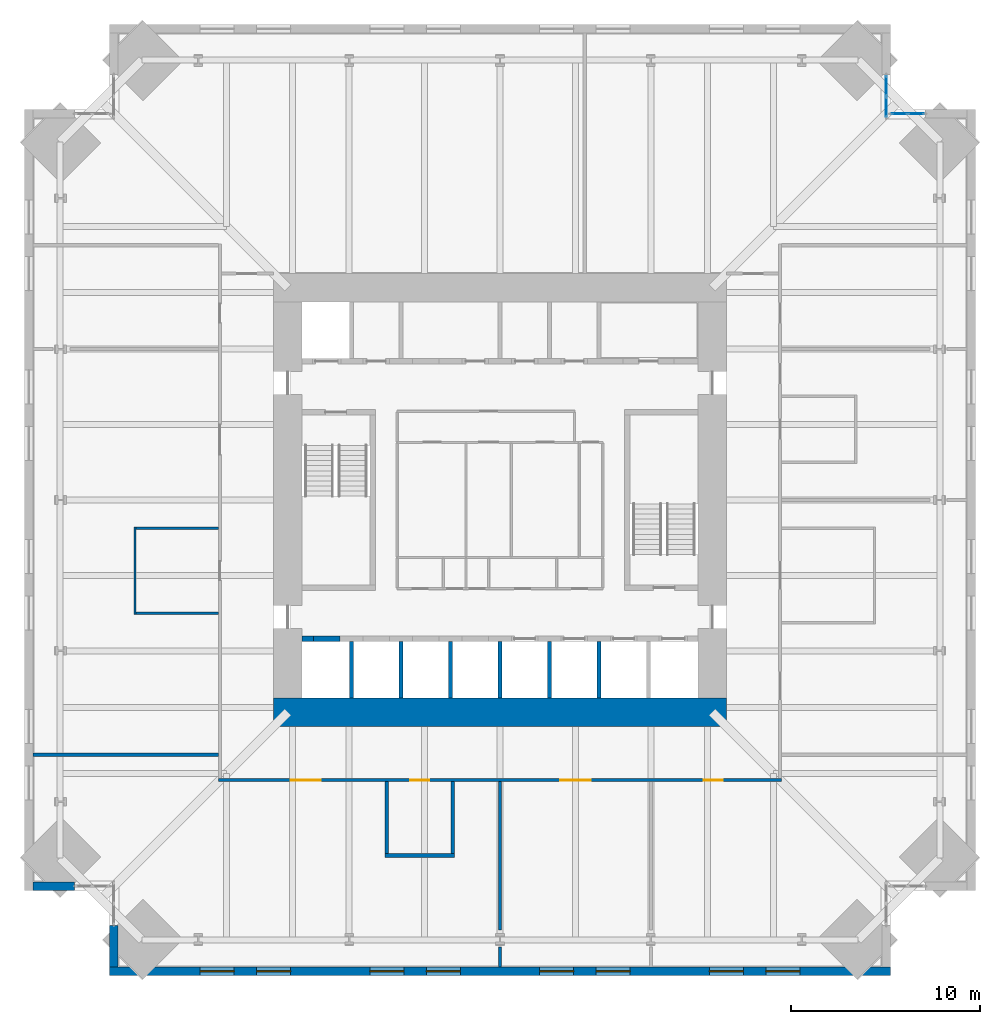
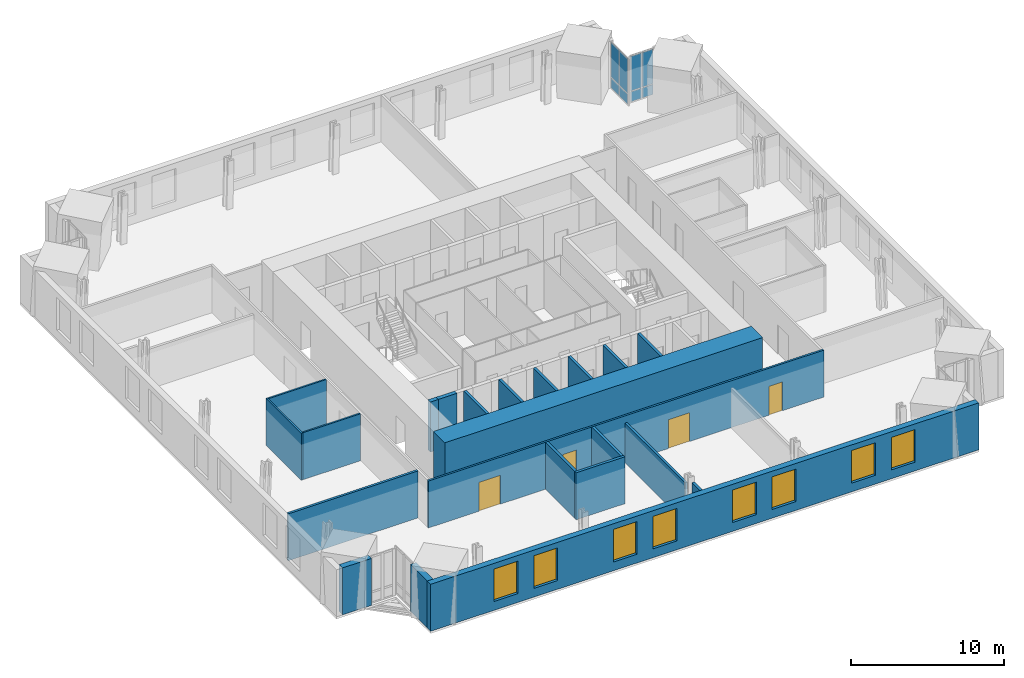
# One storey, part 10 of 15: 22 walls, 8 plates, 8 windows, 4 doors, 12 openings, 2 elements without a shape of their own.
"""IFC4 building model written with IfcOpenShell, lengths in metres."""

from ifc_helpers import new_model, si_unit, direction, frame, frame_2d, origin, origin_2d, place, context, subcontext, project, spatial, rectangle, extrude, material, layer, layer_set, type_object, element, fill, aggregate, save


model = new_model("IFC4")

# Units and contexts
model_context = context("Model", 3, precision=1e-05, world=origin(), true_north=direction((0.0, 1.0)))
body_context = subcontext(model_context, "Body", "Model", "MODEL_VIEW")
ifc_project = project(units=[si_unit("LENGTHUNIT", "METRE"), si_unit("AREAUNIT", "SQUARE_METRE"), si_unit("VOLUMEUNIT", "CUBIC_METRE"), si_unit("PLANEANGLEUNIT", "RADIAN"), si_unit("MASSUNIT", "GRAM", prefix="KILO")], contexts=[model_context])

# Site, building, storey
site_placement = place(None, origin())
site = spatial("IfcSite", under=ifc_project, at=site_placement, CompositionType="ELEMENT")
building_placement = place(site_placement, origin())
building = spatial("IfcBuilding", under=site, at=building_placement, Name="Peilmerk Tower", CompositionType="ELEMENT")
storey_placement = place(building_placement, frame((0.0, 0.0, 187.800048828125)))
storey = spatial("IfcBuildingStorey", under=building, at=storey_placement, Name="L40", CompositionType="ELEMENT", Elevation=187.800048828125)

# Curtain wall, plates
ifc_material_1 = material(Name="Aluminium stick curtain wall", Category="aluminium")
curtain_wall_type = type_object("IfcCurtainWallType", Name="CW3 stick curtain wall, 2250 module", PredefinedType="NOTDEFINED", material=ifc_material_1)
curtain_wall_1_placement = place(storey_placement, origin())
curtain_wall_1 = element("IfcCurtainWall", 1, at=curtain_wall_1_placement, inside=storey, type_object=curtain_wall_type, Name="Curtain wall CW3 NEA L40", PredefinedType="NOTDEFINED")
ifc_material_2 = material(Name="Clear insulated glazing unit", Category="glass")
ifc_layer_1 = layer(ifc_material_2, 0.028076171875)
ifc_layer_set_1 = layer_set([ifc_layer_1], Name="Clear insulated glazing unit")
plate_type = type_object("IfcPlateType", Name="CW3-P 28 glazed panel", PredefinedType="CURTAIN_PANEL", material=ifc_layer_set_1)
plate_1_placement = place(storey_placement, frame((20.47509765625, 20.83837890625, 0.06494140625), z_axis=(0.0, 0.0, 1.0), x_axis=(0.0, 1.0, 0.0)))
plate_1 = element("IfcPlate", 2, at=plate_1_placement, type_object=plate_type, Name="CW3 panel 1.1", PredefinedType="CURTAIN_PANEL", context=body_context, shape_type="SweptSolid", body=[
    extrude(rectangle(XDim=1.046875, YDim=0.028076171875, at=origin_2d()), origin(), (0.0, 0.0, 1.0), 0.802490234375),
])
plate_2_placement = place(storey_placement, frame((20.47509765625, 20.83837890625, 0.932373046875), z_axis=(0.0, 0.0, 1.0), x_axis=(0.0, 1.0, 0.0)))
plate_2 = element("IfcPlate", 3, at=plate_2_placement, type_object=plate_type, Name="CW3 panel 1.2", PredefinedType="CURTAIN_PANEL", context=body_context, shape_type="SweptSolid", body=[
    extrude(rectangle(XDim=1.046875, YDim=0.028076171875, at=origin_2d()), origin(), (0.0, 0.0, 1.0), 2.75244140625),
])
plate_3_placement = place(storey_placement, frame((20.47509765625, 21.9501953125, 0.06494140625), z_axis=(0.0, 0.0, 1.0), x_axis=(0.0, 1.0, 0.0)))
plate_3 = element("IfcPlate", 4, at=plate_3_placement, type_object=plate_type, Name="CW3 panel 2.1", PredefinedType="CURTAIN_PANEL", context=body_context, shape_type="SweptSolid", body=[
    extrude(rectangle(XDim=1.046875, YDim=0.028076171875, at=origin_2d()), origin(), (0.0, 0.0, 1.0), 0.802490234375),
])
plate_4_placement = place(storey_placement, frame((20.47509765625, 21.9501953125, 0.932373046875), z_axis=(0.0, 0.0, 1.0), x_axis=(0.0, 1.0, 0.0)))
plate_4 = element("IfcPlate", 5, at=plate_4_placement, type_object=plate_type, Name="CW3 panel 2.2", PredefinedType="CURTAIN_PANEL", context=body_context, shape_type="SweptSolid", body=[
    extrude(rectangle(XDim=1.046875, YDim=0.028076171875, at=origin_2d()), origin(), (0.0, 0.0, 1.0), 2.75244140625),
])
aggregate(curtain_wall_1, [plate_1, plate_2, plate_3, plate_4])

curtain_wall_2_placement = place(storey_placement, origin())
curtain_wall_2 = element("IfcCurtainWall", 6, at=curtain_wall_2_placement, inside=storey, type_object=curtain_wall_type, Name="Curtain wall CW3 NEB L40", PredefinedType="NOTDEFINED")
plate_5_placement = place(storey_placement, frame((21.176025390625, 20.47509765625, 0.06494140625), z_axis=(0.0, 0.0, 1.0), x_axis=(1.0, 0.0, 0.0)))
plate_5 = element("IfcPlate", 7, at=plate_5_placement, type_object=plate_type, Name="CW3 panel 1.1", PredefinedType="CURTAIN_PANEL", context=body_context, shape_type="SweptSolid", body=[
    extrude(rectangle(XDim=0.82177734375, YDim=0.028076171875, at=origin_2d()), origin(), (0.0, 0.0, 1.0), 0.802490234375),
])
plate_6_placement = place(storey_placement, frame((21.176025390625, 20.47509765625, 0.932373046875), z_axis=(0.0, 0.0, 1.0), x_axis=(1.0, 0.0, 0.0)))
plate_6 = element("IfcPlate", 8, at=plate_6_placement, type_object=plate_type, Name="CW3 panel 1.2", PredefinedType="CURTAIN_PANEL", context=body_context, shape_type="SweptSolid", body=[
    extrude(rectangle(XDim=0.82177734375, YDim=0.028076171875, at=origin_2d()), origin(), (0.0, 0.0, 1.0), 2.75244140625),
])
plate_7_placement = place(storey_placement, frame((22.062744140625, 20.47509765625, 0.06494140625), z_axis=(0.0, 0.0, 1.0), x_axis=(1.0, 0.0, 0.0)))
plate_7 = element("IfcPlate", 9, at=plate_7_placement, type_object=plate_type, Name="CW3 panel 2.1", PredefinedType="CURTAIN_PANEL", context=body_context, shape_type="SweptSolid", body=[
    extrude(rectangle(XDim=0.82177734375, YDim=0.028076171875, at=origin_2d()), origin(), (0.0, 0.0, 1.0), 0.802490234375),
])
plate_8_placement = place(storey_placement, frame((22.062744140625, 20.47509765625, 0.932373046875), z_axis=(0.0, 0.0, 1.0), x_axis=(1.0, 0.0, 0.0)))
plate_8 = element("IfcPlate", 10, at=plate_8_placement, type_object=plate_type, Name="CW3 panel 2.2", PredefinedType="CURTAIN_PANEL", context=body_context, shape_type="SweptSolid", body=[
    extrude(rectangle(XDim=0.82177734375, YDim=0.028076171875, at=origin_2d()), origin(), (0.0, 0.0, 1.0), 2.75244140625),
])
aggregate(curtain_wall_2, [plate_5, plate_6, plate_7, plate_8])

# Wall, openings, windows
ifc_material_3 = material(Name="Precast concrete C45/55, board-marked finish", Category="concrete")
ifc_layer_2 = layer(ifc_material_3, 0.449951171875)
ifc_layer_set_2 = layer_set([ifc_layer_2], Name="Precast concrete C45/55, board-marked finish")
wall_type_1 = type_object("IfcWallType", Name="EW1 450 precast concrete facade wall, board-marked", PredefinedType="SOLIDWALL", material=ifc_layer_set_2)
wall_1_placement = place(storey_placement, frame((-20.699951171875, -24.97509765625, 0.0), z_axis=(0.0, 0.0, 1.0), x_axis=(1.0, 0.0, 0.0)))
wall_1 = element("IfcWall", 11, at=wall_1_placement, inside=storey, type_object=wall_type_1, Name="Facade wall S L40", PredefinedType="SOLIDWALL", context=body_context, shape_type="SweptSolid", body=[
    extrude(rectangle(XDim=41.39990234375, YDim=0.449951171875, at=frame_2d((20.699951171875, 0.0))), origin(), (0.0, 0.0, 1.0), 3.75),
])
opening_1_placement = place(wall_1_placement, frame((4.800048828125, 0.0, 0.699951171875)))
opening_1 = element("IfcOpeningElement", 12, at=opening_1_placement, cuts=wall_1, Name="Opening W1", PredefinedType="OPENING", context=body_context, shape_type="SweptSolid", body=[
    extrude(rectangle(XDim=1.800048828125, YDim=2.60009765625, at=frame_2d((0.89990234375, 1.300048828125))), frame((0.0, 0.23486328125, 0.0), z_axis=(0.0, -1.0, 0.0), x_axis=(1.0, 0.0, 0.0)), (0.0, 0.0, 1.0), 0.469970703125),
])
opening_2_placement = place(wall_1_placement, frame((7.800048828125, 0.0, 0.699951171875)))
opening_2 = element("IfcOpeningElement", 13, at=opening_2_placement, cuts=wall_1, Name="Opening W1", PredefinedType="OPENING", context=body_context, shape_type="SweptSolid", body=[
    extrude(rectangle(XDim=1.800048828125, YDim=2.60009765625, at=frame_2d((0.89990234375, 1.300048828125))), frame((0.0, 0.23486328125, 0.0), z_axis=(0.0, -1.0, 0.0), x_axis=(1.0, 0.0, 0.0)), (0.0, 0.0, 1.0), 0.469970703125),
])
opening_3_placement = place(wall_1_placement, frame((13.800048828125, 0.0, 0.699951171875)))
opening_3 = element("IfcOpeningElement", 14, at=opening_3_placement, cuts=wall_1, Name="Opening W1", PredefinedType="OPENING", context=body_context, shape_type="SweptSolid", body=[
    extrude(rectangle(XDim=1.800048828125, YDim=2.60009765625, at=frame_2d((0.89990234375, 1.300048828125))), frame((0.0, 0.23486328125, 0.0), z_axis=(0.0, -1.0, 0.0), x_axis=(1.0, 0.0, 0.0)), (0.0, 0.0, 1.0), 0.469970703125),
])
opening_4_placement = place(wall_1_placement, frame((16.800048828125, 0.0, 0.699951171875)))
opening_4 = element("IfcOpeningElement", 15, at=opening_4_placement, cuts=wall_1, Name="Opening W1", PredefinedType="OPENING", context=body_context, shape_type="SweptSolid", body=[
    extrude(rectangle(XDim=1.800048828125, YDim=2.60009765625, at=frame_2d((0.89990234375, 1.300048828125))), frame((0.0, 0.23486328125, 0.0), z_axis=(0.0, -1.0, 0.0), x_axis=(1.0, 0.0, 0.0)), (0.0, 0.0, 1.0), 0.469970703125),
])
opening_5_placement = place(wall_1_placement, frame((22.800048828125, 0.0, 0.699951171875)))
opening_5 = element("IfcOpeningElement", 16, at=opening_5_placement, cuts=wall_1, Name="Opening W1", PredefinedType="OPENING", context=body_context, shape_type="SweptSolid", body=[
    extrude(rectangle(XDim=1.800048828125, YDim=2.60009765625, at=frame_2d((0.89990234375, 1.300048828125))), frame((0.0, 0.23486328125, 0.0), z_axis=(0.0, -1.0, 0.0), x_axis=(1.0, 0.0, 0.0)), (0.0, 0.0, 1.0), 0.469970703125),
])
opening_6_placement = place(wall_1_placement, frame((25.800048828125, 0.0, 0.699951171875)))
opening_6 = element("IfcOpeningElement", 17, at=opening_6_placement, cuts=wall_1, Name="Opening W1", PredefinedType="OPENING", context=body_context, shape_type="SweptSolid", body=[
    extrude(rectangle(XDim=1.800048828125, YDim=2.60009765625, at=frame_2d((0.89990234375, 1.300048828125))), frame((0.0, 0.23486328125, 0.0), z_axis=(0.0, -1.0, 0.0), x_axis=(1.0, 0.0, 0.0)), (0.0, 0.0, 1.0), 0.469970703125),
])
opening_7_placement = place(wall_1_placement, frame((31.800048828125, 0.0, 0.699951171875)))
opening_7 = element("IfcOpeningElement", 18, at=opening_7_placement, cuts=wall_1, Name="Opening W1", PredefinedType="OPENING", context=body_context, shape_type="SweptSolid", body=[
    extrude(rectangle(XDim=1.800048828125, YDim=2.60009765625, at=frame_2d((0.89990234375, 1.300048828125))), frame((0.0, 0.23486328125, 0.0), z_axis=(0.0, -1.0, 0.0), x_axis=(1.0, 0.0, 0.0)), (0.0, 0.0, 1.0), 0.469970703125),
])
opening_8_placement = place(wall_1_placement, frame((34.800048828125, 0.0, 0.699951171875)))
opening_8 = element("IfcOpeningElement", 19, at=opening_8_placement, cuts=wall_1, Name="Opening W1", PredefinedType="OPENING", context=body_context, shape_type="SweptSolid", body=[
    extrude(rectangle(XDim=1.800048828125, YDim=2.60009765625, at=frame_2d((0.89990234375, 1.300048828125))), frame((0.0, 0.23486328125, 0.0), z_axis=(0.0, -1.0, 0.0), x_axis=(1.0, 0.0, 0.0)), (0.0, 0.0, 1.0), 0.469970703125),
])
ifc_material_4 = material(Name="Aluminium frame, clear double glazing", Category="aluminium")
window_type = type_object("IfcWindowType", Name="W1 1800x2600 office window", PartitioningType="SINGLE_PANEL", PredefinedType="WINDOW", material=ifc_material_4)
window_1_placement = place(opening_1_placement, origin())
window_1 = element("IfcWindow", 20, at=window_1_placement, inside=storey, type_object=window_type, Name="Window W1 L40", OverallHeight=2.60009765625, OverallWidth=1.800048828125, PartitioningType="SINGLE_PANEL", PredefinedType="WINDOW", context=body_context, shape_type="SweptSolid", body=[
    extrude(rectangle(XDim=1.800048828125, YDim=2.60009765625, at=frame_2d((0.89990234375, 1.300048828125))), frame((0.0, 0.030029296875, 0.0), z_axis=(0.0, -1.0, 0.0), x_axis=(1.0, 0.0, 0.0)), (0.0, 0.0, 1.0), 0.06005859375),
])
fill(opening_1, window_1)
window_2_placement = place(opening_2_placement, origin())
window_2 = element("IfcWindow", 21, at=window_2_placement, inside=storey, type_object=window_type, Name="Window W1 L40", OverallHeight=2.60009765625, OverallWidth=1.800048828125, PartitioningType="SINGLE_PANEL", PredefinedType="WINDOW", context=body_context, shape_type="SweptSolid", body=[
    extrude(rectangle(XDim=1.800048828125, YDim=2.60009765625, at=frame_2d((0.89990234375, 1.300048828125))), frame((0.0, 0.030029296875, 0.0), z_axis=(0.0, -1.0, 0.0), x_axis=(1.0, 0.0, 0.0)), (0.0, 0.0, 1.0), 0.06005859375),
])
fill(opening_2, window_2)
window_3_placement = place(opening_3_placement, origin())
window_3 = element("IfcWindow", 22, at=window_3_placement, inside=storey, type_object=window_type, Name="Window W1 L40", OverallHeight=2.60009765625, OverallWidth=1.800048828125, PartitioningType="SINGLE_PANEL", PredefinedType="WINDOW", context=body_context, shape_type="SweptSolid", body=[
    extrude(rectangle(XDim=1.800048828125, YDim=2.60009765625, at=frame_2d((0.89990234375, 1.300048828125))), frame((0.0, 0.030029296875, 0.0), z_axis=(0.0, -1.0, 0.0), x_axis=(1.0, 0.0, 0.0)), (0.0, 0.0, 1.0), 0.06005859375),
])
fill(opening_3, window_3)
window_4_placement = place(opening_4_placement, origin())
window_4 = element("IfcWindow", 23, at=window_4_placement, inside=storey, type_object=window_type, Name="Window W1 L40", OverallHeight=2.60009765625, OverallWidth=1.800048828125, PartitioningType="SINGLE_PANEL", PredefinedType="WINDOW", context=body_context, shape_type="SweptSolid", body=[
    extrude(rectangle(XDim=1.800048828125, YDim=2.60009765625, at=frame_2d((0.89990234375, 1.300048828125))), frame((0.0, 0.030029296875, 0.0), z_axis=(0.0, -1.0, 0.0), x_axis=(1.0, 0.0, 0.0)), (0.0, 0.0, 1.0), 0.06005859375),
])
fill(opening_4, window_4)
window_5_placement = place(opening_5_placement, origin())
window_5 = element("IfcWindow", 24, at=window_5_placement, inside=storey, type_object=window_type, Name="Window W1 L40", OverallHeight=2.60009765625, OverallWidth=1.800048828125, PartitioningType="SINGLE_PANEL", PredefinedType="WINDOW", context=body_context, shape_type="SweptSolid", body=[
    extrude(rectangle(XDim=1.800048828125, YDim=2.60009765625, at=frame_2d((0.89990234375, 1.300048828125))), frame((0.0, 0.030029296875, 0.0), z_axis=(0.0, -1.0, 0.0), x_axis=(1.0, 0.0, 0.0)), (0.0, 0.0, 1.0), 0.06005859375),
])
fill(opening_5, window_5)
window_6_placement = place(opening_6_placement, origin())
window_6 = element("IfcWindow", 25, at=window_6_placement, inside=storey, type_object=window_type, Name="Window W1 L40", OverallHeight=2.60009765625, OverallWidth=1.800048828125, PartitioningType="SINGLE_PANEL", PredefinedType="WINDOW", context=body_context, shape_type="SweptSolid", body=[
    extrude(rectangle(XDim=1.800048828125, YDim=2.60009765625, at=frame_2d((0.89990234375, 1.300048828125))), frame((0.0, 0.030029296875, 0.0), z_axis=(0.0, -1.0, 0.0), x_axis=(1.0, 0.0, 0.0)), (0.0, 0.0, 1.0), 0.06005859375),
])
fill(opening_6, window_6)
window_7_placement = place(opening_7_placement, origin())
window_7 = element("IfcWindow", 26, at=window_7_placement, inside=storey, type_object=window_type, Name="Window W1 L40", OverallHeight=2.60009765625, OverallWidth=1.800048828125, PartitioningType="SINGLE_PANEL", PredefinedType="WINDOW", context=body_context, shape_type="SweptSolid", body=[
    extrude(rectangle(XDim=1.800048828125, YDim=2.60009765625, at=frame_2d((0.89990234375, 1.300048828125))), frame((0.0, 0.030029296875, 0.0), z_axis=(0.0, -1.0, 0.0), x_axis=(1.0, 0.0, 0.0)), (0.0, 0.0, 1.0), 0.06005859375),
])
fill(opening_7, window_7)
window_8_placement = place(opening_8_placement, origin())
window_8 = element("IfcWindow", 27, at=window_8_placement, inside=storey, type_object=window_type, Name="Window W1 L40", OverallHeight=2.60009765625, OverallWidth=1.800048828125, PartitioningType="SINGLE_PANEL", PredefinedType="WINDOW", context=body_context, shape_type="SweptSolid", body=[
    extrude(rectangle(XDim=1.800048828125, YDim=2.60009765625, at=frame_2d((0.89990234375, 1.300048828125))), frame((0.0, 0.030029296875, 0.0), z_axis=(0.0, -1.0, 0.0), x_axis=(1.0, 0.0, 0.0)), (0.0, 0.0, 1.0), 0.06005859375),
])
fill(opening_8, window_8)

# Walls
for number, where, z_axis, x_axis, name in (
    (28, (-20.47509765625, -22.5537109375, 0.0), (0.0, 0.0, 1.0), (0.0, -1.0, 0.0), "Facade wall SWA L40"),
    (29, (-22.5537109375, -20.47509765625, 0.0), (0.0, 0.0, 1.0), (-1.0, 0.0, 0.0), "Facade wall SWB L40"),
):
    element("IfcWall", number, at=place(storey_placement, frame(where, z_axis=z_axis, x_axis=x_axis)), inside=storey, type_object=wall_type_1, Name=name, PredefinedType="SOLIDWALL", context=body_context, shape_type="SweptSolid", body=[
        extrude(rectangle(XDim=2.1962890625, YDim=0.449951171875, at=frame_2d((1.09814453125, 0.0))), origin(), (0.0, 0.0, 1.0), 3.75),
    ])

# Wall, openings, doors
ifc_material_5 = material(Name="Calcium silicate block", Category="masonry")
ifc_layer_3 = layer(ifc_material_5, 0.14990234375)
ifc_layer_set_3 = layer_set([ifc_layer_3], Name="Calcium silicate block")
wall_type_2 = type_object("IfcWallType", Name="IW1 150 corridor partition, EI 60", PredefinedType="PARTITIONING", material=ifc_layer_set_3)
wall_2_placement = place(storey_placement, frame((14.925048828125, -14.85009765625, 0.0), z_axis=(0.0, 0.0, 1.0), x_axis=(-1.0, 0.0, 0.0)))
wall_2 = element("IfcWall", 30, at=wall_2_placement, inside=storey, type_object=wall_type_2, Name="Corridor wall S L40", PredefinedType="PARTITIONING", context=body_context, shape_type="SweptSolid", body=[
    extrude(rectangle(XDim=29.85009765625, YDim=0.14990234375, at=frame_2d((14.925048828125, 0.0))), origin(), (0.0, 0.0, 1.0), 3.75),
])
opening_9_placement = place(wall_2_placement, frame((24.425048828125, 0.0, 0.0)))
opening_9 = element("IfcOpeningElement", 31, at=opening_9_placement, cuts=wall_2, Name="Opening D9", PredefinedType="OPENING", context=body_context, shape_type="SweptSolid", body=[
    extrude(rectangle(XDim=1.60009765625, YDim=2.300048828125, at=frame_2d((0.800048828125, 1.14990234375))), frame((0.0, 0.0849609375, 0.0), z_axis=(0.0, -1.0, 0.0), x_axis=(1.0, 0.0, 0.0)), (0.0, 0.0, 1.0), 0.169921875),
])
opening_10_placement = place(wall_2_placement, frame((10.125, 0.0, 0.0)))
opening_10 = element("IfcOpeningElement", 32, at=opening_10_placement, cuts=wall_2, Name="Opening D9", PredefinedType="OPENING", context=body_context, shape_type="SweptSolid", body=[
    extrude(rectangle(XDim=1.60009765625, YDim=2.300048828125, at=frame_2d((0.800048828125, 1.14990234375))), frame((0.0, 0.0849609375, 0.0), z_axis=(0.0, -1.0, 0.0), x_axis=(1.0, 0.0, 0.0)), (0.0, 0.0, 1.0), 0.169921875),
])
opening_11_placement = place(wall_2_placement, frame((3.125, 0.0, 0.0)))
opening_11 = element("IfcOpeningElement", 33, at=opening_11_placement, cuts=wall_2, Name="Opening D1", PredefinedType="OPENING", context=body_context, shape_type="SweptSolid", body=[
    extrude(rectangle(XDim=1.0, YDim=2.300048828125, at=frame_2d((0.5, 1.14990234375))), frame((0.0, 0.0849609375, 0.0), z_axis=(0.0, -1.0, 0.0), x_axis=(1.0, 0.0, 0.0)), (0.0, 0.0, 1.0), 0.169921875),
])
opening_12_placement = place(wall_2_placement, frame((18.675048828125, 0.0, 0.0)))
opening_12 = element("IfcOpeningElement", 34, at=opening_12_placement, cuts=wall_2, Name="Opening D1", PredefinedType="OPENING", context=body_context, shape_type="SweptSolid", body=[
    extrude(rectangle(XDim=1.0, YDim=2.300048828125, at=frame_2d((0.5, 1.14990234375))), frame((0.0, 0.0849609375, 0.0), z_axis=(0.0, -1.0, 0.0), x_axis=(1.0, 0.0, 0.0)), (0.0, 0.0, 1.0), 0.169921875),
])
ifc_material_6 = material(Name="Timber door in steel frame", Category="steel")
door_type_1 = type_object("IfcDoorType", Name="D1 1000x2300 room door, EI2 30", OperationType="SINGLE_SWING_LEFT", PredefinedType="DOOR", material=ifc_material_6)
door_1_placement = place(opening_11_placement, origin())
door_1 = element("IfcDoor", 35, at=door_1_placement, inside=storey, type_object=door_type_1, Name="Door Office L40", OperationType="SINGLE_SWING_LEFT", OverallHeight=2.300048828125, OverallWidth=1.0, PredefinedType="DOOR", context=body_context, shape_type="SweptSolid", body=[
    extrude(rectangle(XDim=1.0, YDim=2.300048828125, at=frame_2d((0.5, 1.14990234375))), frame((0.0, 0.02490234375, 0.0), z_axis=(0.0, -1.0, 0.0), x_axis=(1.0, 0.0, 0.0)), (0.0, 0.0, 1.0), 0.050048828125),
])
fill(opening_11, door_1)
door_2_placement = place(opening_12_placement, origin())
door_2 = element("IfcDoor", 36, at=door_2_placement, inside=storey, type_object=door_type_1, Name="Door Interview room L40", OperationType="SINGLE_SWING_LEFT", OverallHeight=2.300048828125, OverallWidth=1.0, PredefinedType="DOOR", context=body_context, shape_type="SweptSolid", body=[
    extrude(rectangle(XDim=1.0, YDim=2.300048828125, at=frame_2d((0.5, 1.14990234375))), frame((0.0, 0.02490234375, 0.0), z_axis=(0.0, -1.0, 0.0), x_axis=(1.0, 0.0, 0.0)), (0.0, 0.0, 1.0), 0.050048828125),
])
fill(opening_12, door_2)
ifc_material_7 = material(Name="Glazed timber door in steel frame", Category="steel")
door_type_2 = type_object("IfcDoorType", Name="D9 1600x2300 glazed double door, EI2 30", OperationType="DOUBLE_DOOR_SINGLE_SWING", PredefinedType="DOOR", material=ifc_material_7)
door_3_placement = place(opening_9_placement, origin())
door_3 = element("IfcDoor", 37, at=door_3_placement, inside=storey, type_object=door_type_2, Name="Door Reception L40", OperationType="DOUBLE_DOOR_SINGLE_SWING", OverallHeight=2.300048828125, OverallWidth=1.60009765625, PredefinedType="DOOR", context=body_context, shape_type="SweptSolid", body=[
    extrude(rectangle(XDim=1.60009765625, YDim=2.300048828125, at=frame_2d((0.800048828125, 1.14990234375))), frame((0.0, 0.02490234375, 0.0), z_axis=(0.0, -1.0, 0.0), x_axis=(1.0, 0.0, 0.0)), (0.0, 0.0, 1.0), 0.050048828125),
])
fill(opening_9, door_3)
door_4_placement = place(opening_10_placement, origin())
door_4 = element("IfcDoor", 38, at=door_4_placement, inside=storey, type_object=door_type_2, Name="Door Open workspace L40", OperationType="DOUBLE_DOOR_SINGLE_SWING", OverallHeight=2.300048828125, OverallWidth=1.60009765625, PredefinedType="DOOR", context=body_context, shape_type="SweptSolid", body=[
    extrude(rectangle(XDim=1.60009765625, YDim=2.300048828125, at=frame_2d((0.800048828125, 1.14990234375))), frame((0.0, 0.02490234375, 0.0), z_axis=(0.0, -1.0, 0.0), x_axis=(1.0, 0.0, 0.0)), (0.0, 0.0, 1.0), 0.050048828125),
])
fill(opening_10, door_4)

# Walls
ifc_layer_4 = layer(ifc_material_5, 0.199951171875)
ifc_layer_set_4 = layer_set([ifc_layer_4], Name="Calcium silicate block")
wall_type_3 = type_object("IfcWallType", Name="IW2 200 room separating wall, EI 120", PredefinedType="PARTITIONING", material=ifc_layer_set_4)
wall_3_placement = place(storey_placement, frame((-6.10009765625, -18.85009765625, 0.0), z_axis=(0.0, 0.0, 1.0), x_axis=(1.0, 0.0, 0.0)))
element("IfcWall", 39, at=wall_3_placement, inside=storey, type_object=wall_type_3, Name="Room separating wall Interview room L40", PredefinedType="PARTITIONING", context=body_context, shape_type="SweptSolid", body=[
    extrude(rectangle(XDim=3.7001953125, YDim=0.199951171875, at=frame_2d((1.85009765625, 0.0))), origin(), (0.0, 0.0, 1.0), 3.75),
])
for number, where, z_axis, x_axis, name in (
    (40, (-6.0, -14.925048828125, 0.0), (0.0, 0.0, 1.0), (0.0, -1.0, 0.0), "Room separating wall Interview room L40"),
    (41, (-2.5, -14.925048828125, 0.0), (0.0, 0.0, 1.0), (0.0, -1.0, 0.0), "Room separating wall Interview room L40"),
):
    element("IfcWall", number, at=place(storey_placement, frame(where, z_axis=z_axis, x_axis=x_axis)), inside=storey, type_object=wall_type_3, Name=name, PredefinedType="PARTITIONING", context=body_context, shape_type="SweptSolid", body=[
        extrude(rectangle(XDim=3.824951171875, YDim=0.199951171875, at=frame_2d((1.91259765625, 0.0))), origin(), (0.0, 0.0, 1.0), 3.75),
    ])
ifc_material_8 = material(Name="Plasterboard on steel studs, double boarded with mineral wool", Category="steel")
ifc_layer_5 = layer(ifc_material_8, 0.125)
ifc_layer_set_5 = layer_set([ifc_layer_5], Name="Plasterboard on steel studs, double boarded with mineral wool")
wall_type_4 = type_object("IfcWallType", Name="IW7 125 acoustic partition, EI 30", PredefinedType="PARTITIONING", material=ifc_layer_set_5)
wall_4_placement = place(storey_placement, frame((-19.35009765625, -6.0625, 0.0), z_axis=(0.0, 0.0, 1.0), x_axis=(0.0, 1.0, 0.0)))
element("IfcWall", 42, at=wall_4_placement, inside=storey, type_object=wall_type_4, Name="Acoustic partition Meeting room L40", PredefinedType="PARTITIONING", context=body_context, shape_type="SweptSolid", body=[
    extrude(rectangle(XDim=4.625, YDim=0.125, at=frame_2d((2.3125, 0.0))), origin(), (0.0, 0.0, 1.0), 3.75),
])
for number, where, z_axis, x_axis, name in (
    (43, (-14.925048828125, -6.0, 0.0), (0.0, 0.0, 1.0), (-1.0, 0.0, 0.0), "Acoustic partition Meeting room L40"),
    (44, (-14.925048828125, -1.5, 0.0), (0.0, 0.0, 1.0), (-1.0, 0.0, 0.0), "Acoustic partition Meeting room L40"),
):
    element("IfcWall", number, at=place(storey_placement, frame(where, z_axis=z_axis, x_axis=x_axis)), inside=storey, type_object=wall_type_4, Name=name, PredefinedType="PARTITIONING", context=body_context, shape_type="SweptSolid", body=[
        extrude(rectangle(XDim=4.362548828125, YDim=0.125, at=frame_2d((2.18115234375, 0.0))), origin(), (0.0, 0.0, 1.0), 3.75),
    ])
ifc_layer_6 = layer(ifc_material_5, 0.175048828125)
ifc_layer_set_6 = layer_set([ifc_layer_6], Name="Calcium silicate block")
wall_type_5 = type_object("IfcWallType", Name="IW8 175 tenant separating wall, EI 60", PredefinedType="PARTITIONING", material=ifc_layer_set_6)
wall_5_placement = place(storey_placement, frame((-14.925048828125, -13.5, 0.0), z_axis=(0.0, 0.0, 1.0), x_axis=(-1.0, 0.0, 0.0)))
element("IfcWall", 45, at=wall_5_placement, inside=storey, type_object=wall_type_5, Name="Tenant separating wall SW L40", PredefinedType="PARTITIONING", context=body_context, shape_type="SweptSolid", body=[
    extrude(rectangle(XDim=9.824951171875, YDim=0.175048828125, at=frame_2d((4.91259765625, 0.0))), origin(), (0.0, 0.0, 1.0), 3.75),
])
wall_6_placement = place(storey_placement, frame((0.0, -14.925048828125, 0.0), z_axis=(0.0, 0.0, 1.0), x_axis=(0.0, -1.0, 0.0)))
element("IfcWall", 46, at=wall_6_placement, inside=storey, type_object=wall_type_5, Name="Tenant separating wall S1 L40", PredefinedType="PARTITIONING", context=body_context, shape_type="SweptSolid", body=[
    extrude(rectangle(XDim=7.873779296875, YDim=0.175048828125, at=frame_2d((3.93701171875, 0.0))), origin(), (0.0, 0.0, 1.0), 3.180908203125),
])
wall_7_placement = place(storey_placement, frame((0.0, -23.688232421875, 0.0), z_axis=(0.0, 0.0, 1.0), x_axis=(0.0, -1.0, 0.0)))
element("IfcWall", 47, at=wall_7_placement, inside=storey, type_object=wall_type_5, Name="Tenant separating wall S1b L40", PredefinedType="PARTITIONING", context=body_context, shape_type="SweptSolid", body=[
    extrude(rectangle(XDim=1.061767578125, YDim=0.175048828125, at=frame_2d((0.53076171875, 0.0))), origin(), (0.0, 0.0, 1.0), 3.75),
])
ifc_layer_7 = layer(ifc_material_5, 0.199951171875)
ifc_layer_set_7 = layer_set([ifc_layer_7], Name="Calcium silicate block")
wall_type_6 = type_object("IfcWallType", Name="SH1 200 shaft dividing wall, EI 120", PredefinedType="PARTITIONING", material=ifc_layer_set_7)
for number, where, z_axis, x_axis, name in (
    (48, (-7.875, -10.5, 0.0), (0.0, 0.0, 1.0), (0.0, 1.0, 0.0), "Shaft wall S C4 L40"),
    (49, (-5.25, -10.5, 0.0), (0.0, 0.0, 1.0), (0.0, 1.0, 0.0), "Shaft wall S C3 L40"),
    (50, (-2.625, -10.5, 0.0), (0.0, 0.0, 1.0), (0.0, 1.0, 0.0), "Shaft wall S C2 L40"),
    (51, (0.0, -10.5, 0.0), (0.0, 0.0, 1.0), (0.0, 1.0, 0.0), "Shaft wall S C1 L40"),
    (52, (2.625, -10.5, 0.0), (0.0, 0.0, 1.0), (0.0, 1.0, 0.0), "Shaft wall S B3 L40"),
    (53, (5.25, -10.5, 0.0), (0.0, 0.0, 1.0), (0.0, 1.0, 0.0), "Shaft wall S B2 L40"),
):
    element("IfcWall", number, at=place(storey_placement, frame(where, z_axis=z_axis, x_axis=x_axis)), inside=storey, type_object=wall_type_6, Name=name, PredefinedType="PARTITIONING", context=body_context, shape_type="SweptSolid", body=[
        extrude(rectangle(XDim=3.0, YDim=0.199951171875, at=frame_2d((1.5, 0.0))), origin(), (0.0, 0.0, 1.0), 4.0),
    ])
ifc_layer_8 = layer(ifc_material_5, 0.300048828125)
ifc_layer_set_8 = layer_set([ifc_layer_8], Name="Calcium silicate block")
wall_type_7 = type_object("IfcWallType", Name="SH2 300 lift landing door panel, EI 120", PredefinedType="PARTITIONING", material=ifc_layer_set_8)
wall_8_placement = place(storey_placement, frame((-9.887451171875, -7.35009765625, 0.0), z_axis=(0.0, 0.0, 1.0), x_axis=(1.0, 0.0, 0.0)))
element("IfcWall", 54, at=wall_8_placement, inside=storey, type_object=wall_type_7, Name="Lift door panel S C4 L40", PredefinedType="PARTITIONING", context=body_context, shape_type="SweptSolid", body=[
    extrude(rectangle(XDim=1.39990234375, YDim=0.300048828125, at=frame_2d((0.699951171875, 0.0))), origin(), (0.0, 0.0, 1.0), 4.0),
])
ifc_material_9 = material(Name="Concrete C55/67", Category="concrete")
ifc_layer_9 = layer(ifc_material_9, 1.5)
ifc_layer_set_9 = layer_set([ifc_layer_9], Name="Concrete C55/67")
wall_type_8 = type_object("IfcWallType", Name="SW1 1500 core wall", PredefinedType="SHEAR", material=ifc_layer_set_9)
wall_9_placement = place(storey_placement, frame((12.0, -11.25, 0.0), z_axis=(0.0, 0.0, 1.0), x_axis=(-1.0, 0.0, 0.0)))
element("IfcWall", 55, at=wall_9_placement, inside=storey, type_object=wall_type_8, Name="Core wall S L40", PredefinedType="SHEAR", context=body_context, shape_type="SweptSolid", body=[
    extrude(rectangle(XDim=24.0, YDim=1.5, at=frame_2d((12.0, 0.0))), origin(), (0.0, 0.0, 1.0), 4.0),
])
ifc_layer_10 = layer(ifc_material_9, 0.300048828125)
ifc_layer_set_10 = layer_set([ifc_layer_10], Name="Concrete C55/67")
wall_type_9 = type_object("IfcWallType", Name="SW2 300 lift bank pier", PredefinedType="SHEAR", material=ifc_layer_set_10)
wall_10_placement = place(storey_placement, frame((-10.5, -7.35009765625, 0.0), z_axis=(0.0, 0.0, 1.0), x_axis=(1.0, 0.0, 0.0)))
element("IfcWall", 56, at=wall_10_placement, inside=storey, type_object=wall_type_9, Name="Lift bank pier S L40", PredefinedType="SHEAR", context=body_context, shape_type="SweptSolid", body=[
    extrude(rectangle(XDim=0.612548828125, YDim=0.300048828125, at=frame_2d((0.30615234375, 0.0))), origin(), (0.0, 0.0, 1.0), 4.0),
])

save(model, "model.ifc")
